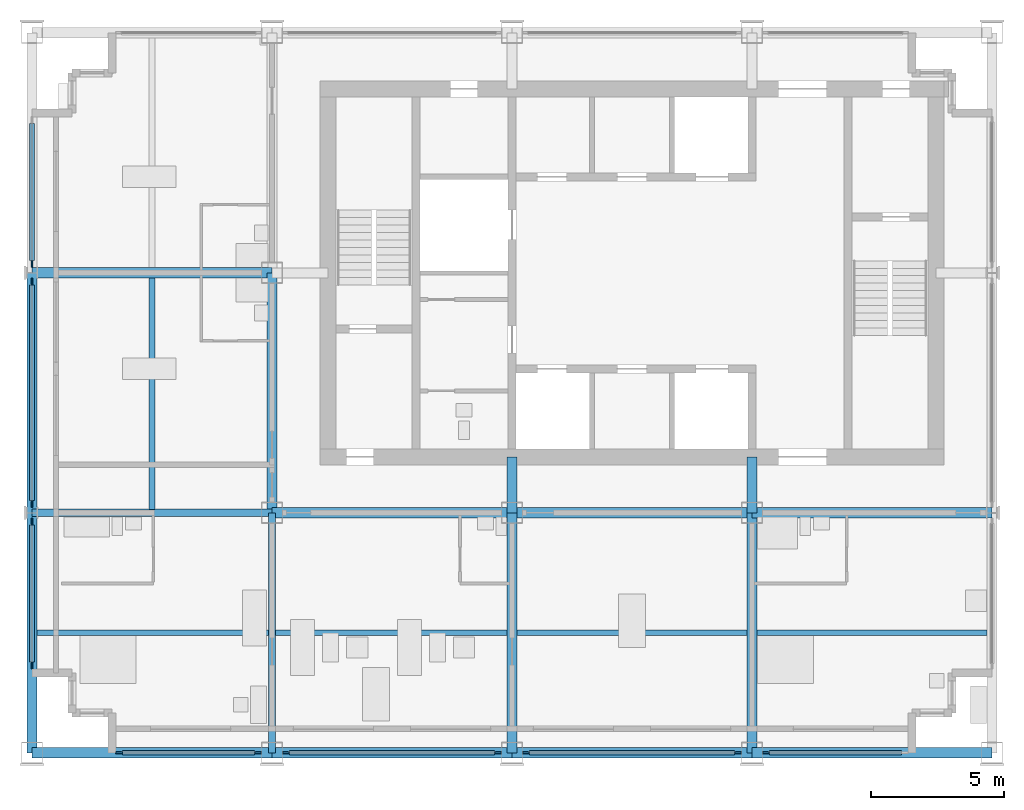
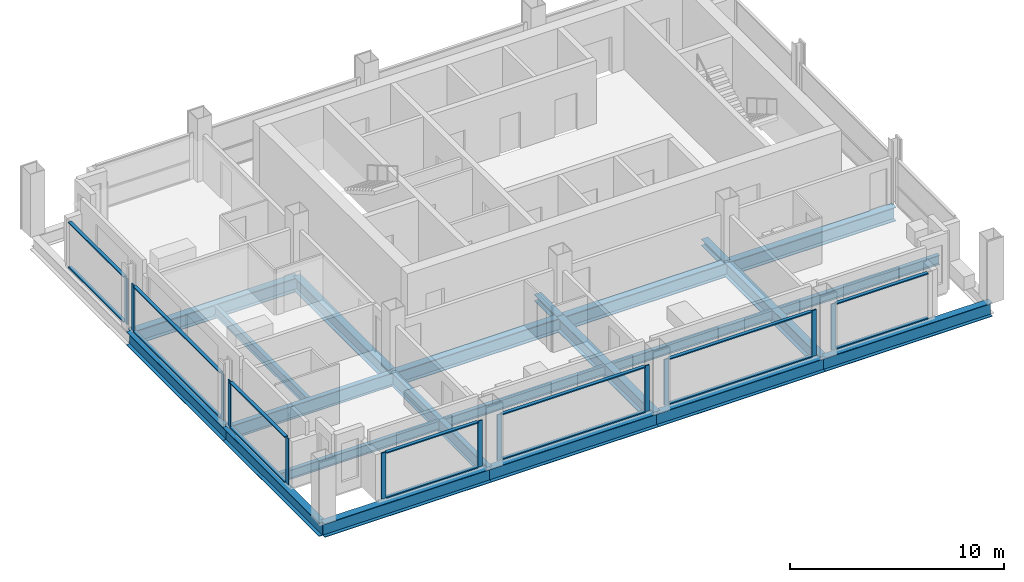
# One storey, part 2 of 11: 28 members, 20 beams, 7 elements without a shape of their own.
"""IFC4 building model written with IfcOpenShell, lengths in metres."""

from ifc_helpers import new_model, si_unit, direction, frame, origin, origin_2d, place, context, subcontext, project, spatial, rectangle, i_section, extrude, material, material_profile, profile_set, type_object, element, aggregate, save


model = new_model("IFC4")

# Units and contexts
model_context = context("Model", 3, precision=1e-05, world=origin(), true_north=direction((0.0, 1.0)))
body_context = subcontext(model_context, "Body", "Model", "MODEL_VIEW")
ifc_project = project(units=[si_unit("LENGTHUNIT", "METRE"), si_unit("AREAUNIT", "SQUARE_METRE"), si_unit("VOLUMEUNIT", "CUBIC_METRE"), si_unit("PLANEANGLEUNIT", "RADIAN"), si_unit("MASSUNIT", "GRAM", prefix="KILO")], contexts=[model_context])

# Site, building, storey
site_placement = place(None, origin())
site = spatial("IfcSite", under=ifc_project, at=site_placement, CompositionType="ELEMENT")
building_placement = place(site_placement, origin())
building = spatial("IfcBuilding", under=site, at=building_placement, Name="Loomwork Tower", CompositionType="ELEMENT")
storey_placement = place(building_placement, frame((0.0, 0.0, 262.60009765625)))
storey = spatial("IfcBuildingStorey", under=building, at=storey_placement, Name="L72", CompositionType="ELEMENT", Elevation=262.60009765625)

# Beams
ifc_material_1 = material(Name="Steel ASTM A992", Category="steel")
ifc_material_profile_1 = material_profile(ifc_material_1, i_section(OverallWidth=0.383544921875, OverallDepth=0.794921875, WebThickness=0.02099609375, FlangeThickness=0.0380859375, at=origin_2d()), Name="W30x235")
ifc_profile_set_1 = profile_set([ifc_material_profile_1], Name="Steel ASTM A992")
beam_type_1 = type_object("IfcBeamType", Name="CORE FLANK GIRDER W30x235", PredefinedType="BEAM", material=ifc_profile_set_1)
for number, where, z_axis, x_axis, name in (
    (1, (9.0, 9.0, -0.59765625), (1.0, 0.0, 0.0), (0.0, 1.0, 0.0), "Core Flank Girder E/3-E/4 L72"),
    (2, (18.0, 9.0, -0.59765625), (1.0, 0.0, 0.0), (0.0, 1.0, 0.0), "Core Flank Girder E/4-E/5 L72"),
    (3, (27.0, 9.0, -0.59765625), (1.0, 0.0, 0.0), (0.0, 1.0, 0.0), "Core Flank Girder E/5-E/6 L72"),
    (4, (0.0, 18.0, -0.59765625), (1.0, 0.0, 0.0), (0.0, 1.0, 0.0), "Core Flank Girder F/2-F/3 L72"),
    (5, (9.0, 9.0, -0.59765625), (0.0, 1.0, 0.0), (-1.0, 0.0, 0.0), "Core Flank Girder E/3-F/3 L72"),
    (6, (18.0, 0.0, -0.59765625), (0.0, 1.0, 0.0), (-1.0, 0.0, 0.0), "Core Flank Girder D/4-E/4 L72"),
    (7, (27.0, 0.0, -0.59765625), (0.0, 1.0, 0.0), (-1.0, 0.0, 0.0), "Core Flank Girder D/5-E/5 L72"),
):
    element("IfcBeam", number, at=place(storey_placement, frame(where, z_axis=z_axis, x_axis=x_axis)), inside=storey, type_object=beam_type_1, Name=name, PredefinedType="BEAM", context=body_context, shape_type="SweptSolid", body=[
        extrude(i_section(OverallWidth=0.383544921875, OverallDepth=0.794921875, WebThickness=0.02099609375, FlangeThickness=0.0380859375, at=origin_2d()), origin(), (0.0, 0.0, 1.0), 9.0),
    ])

# Members
ifc_material_2 = material(Name="Steel ASTM A992", Category="steel")
ifc_material_profile_2 = material_profile(ifc_material_2, i_section(OverallWidth=0.373291015625, OverallDepth=0.373291015625, WebThickness=0.016357421875, FlangeThickness=0.026123046875, at=origin_2d()), Name="W14x132")
ifc_profile_set_2 = profile_set([ifc_material_profile_2], Name="Steel ASTM A992")
member_type_1 = type_object("IfcMemberType", Name="CORE LINK STRUT W14x132", PredefinedType="STRUT", material=ifc_profile_set_2)
for number, where, z_axis, x_axis, name in (
    (8, (18.0, 9.0, -0.38671875), (0.0, 1.0, 0.0), (-1.0, 0.0, 0.0), "Core link strut E/4-18.000,11.100 L72"),
    (9, (27.0, 9.0, -0.38671875), (0.0, 1.0, 0.0), (-1.0, 0.0, 0.0), "Core link strut E/5-27.000,11.100 L72"),
):
    element("IfcMember", number, at=place(storey_placement, frame(where, z_axis=z_axis, x_axis=x_axis)), inside=storey, type_object=member_type_1, Name=name, PredefinedType="STRUT", context=body_context, shape_type="SweptSolid", body=[
        extrude(i_section(OverallWidth=0.373291015625, OverallDepth=0.373291015625, WebThickness=0.016357421875, FlangeThickness=0.026123046875, at=origin_2d()), origin(), (0.0, 0.0, 1.0), 2.10009765625),
    ])

# Beams
ifc_material_3 = material(Name="Steel ASTM A992", Category="steel")
ifc_material_profile_3 = material_profile(ifc_material_3, i_section(OverallWidth=0.2666015625, OverallDepth=0.761962890625, WebThickness=0.014404296875, FlangeThickness=0.021484375, at=origin_2d()), Name="W30x116")
ifc_profile_set_3 = profile_set([ifc_material_profile_3], Name="Steel ASTM A992")
beam_type_2 = type_object("IfcBeamType", Name="FLOOR GIRDER W30x116", PredefinedType="BEAM", material=ifc_profile_set_3)
for number, where, z_axis, x_axis, name in (
    (10, (0.0, 9.0, -0.5810546875), (1.0, 0.0, 0.0), (0.0, 1.0, 0.0), "Floor Girder E/2-E/3 L72"),
    (11, (9.0, 0.0, -0.5810546875), (0.0, 1.0, 0.0), (-1.0, 0.0, 0.0), "Floor Girder D/3-E/3 L72"),
):
    element("IfcBeam", number, at=place(storey_placement, frame(where, z_axis=z_axis, x_axis=x_axis)), inside=storey, type_object=beam_type_2, Name=name, PredefinedType="BEAM", context=body_context, shape_type="SweptSolid", body=[
        extrude(i_section(OverallWidth=0.2666015625, OverallDepth=0.761962890625, WebThickness=0.014404296875, FlangeThickness=0.021484375, at=origin_2d()), origin(), (0.0, 0.0, 1.0), 9.0),
    ])
ifc_material_4 = material(Name="Steel ASTM A992", Category="steel")
ifc_material_profile_4 = material_profile(ifc_material_4, i_section(OverallWidth=0.2109375, OverallDepth=0.53857421875, WebThickness=0.011474609375, FlangeThickness=0.018798828125, at=origin_2d()), Name="W21x73")
ifc_profile_set_4 = profile_set([ifc_material_profile_4], Name="Steel ASTM A992")
beam_type_3 = type_object("IfcBeamType", Name="FLOOR JOIST W21x73", PredefinedType="JOIST", material=ifc_profile_set_4)
beam_1_placement = place(storey_placement, frame((0.18994140625, 4.5, -0.46923828125), z_axis=(1.0, 0.0, 0.0), x_axis=(0.0, 1.0, 0.0)))
element("IfcBeam", 12, at=beam_1_placement, inside=storey, type_object=beam_type_3, Name="Floor Joist 0.000,4.500-9.000,4.500 L72", PredefinedType="JOIST", context=body_context, shape_type="SweptSolid", body=[
    extrude(i_section(OverallWidth=0.2109375, OverallDepth=0.53857421875, WebThickness=0.011474609375, FlangeThickness=0.018798828125, at=origin_2d()), origin(), (0.0, 0.0, 1.0), 8.677001953125),
])
for number, where, z_axis, x_axis, name in (
    (13, (4.5, 9.133056640625, -0.46923828125), (0.0, 1.0, 0.0), (-1.0, 0.0, 0.0), "Floor Joist 4.500,9.000-4.500,18.000 L72"),
    (14, (9.133056640625, 4.5, -0.46923828125), (1.0, 0.0, 0.0), (0.0, 1.0, 0.0), "Floor Joist 9.000,4.500-18.000,4.500 L72"),
):
    element("IfcBeam", number, at=place(storey_placement, frame(where, z_axis=z_axis, x_axis=x_axis)), inside=storey, type_object=beam_type_3, Name=name, PredefinedType="JOIST", context=body_context, shape_type="SweptSolid", body=[
        extrude(i_section(OverallWidth=0.2109375, OverallDepth=0.53857421875, WebThickness=0.011474609375, FlangeThickness=0.018798828125, at=origin_2d()), origin(), (0.0, 0.0, 1.0), 8.676025390625),
    ])
beam_2_placement = place(storey_placement, frame((18.19091796875, 4.5, -0.46923828125), z_axis=(1.0, 0.0, 0.0), x_axis=(0.0, 1.0, 0.0)))
element("IfcBeam", 15, at=beam_2_placement, inside=storey, type_object=beam_type_3, Name="Floor Joist 18.000,4.500-27.000,4.500 L72", PredefinedType="JOIST", context=body_context, shape_type="SweptSolid", body=[
    extrude(i_section(OverallWidth=0.2109375, OverallDepth=0.53857421875, WebThickness=0.011474609375, FlangeThickness=0.018798828125, at=origin_2d()), origin(), (0.0, 0.0, 1.0), 8.6181640625),
])
beam_3_placement = place(storey_placement, frame((27.19091796875, 4.5, -0.46923828125), z_axis=(1.0, 0.0, 0.0), x_axis=(0.0, 1.0, 0.0)))
element("IfcBeam", 16, at=beam_3_placement, inside=storey, type_object=beam_type_3, Name="Floor Joist 27.000,4.500-36.000,4.500 L72", PredefinedType="JOIST", context=body_context, shape_type="SweptSolid", body=[
    extrude(i_section(OverallWidth=0.2109375, OverallDepth=0.53857421875, WebThickness=0.011474609375, FlangeThickness=0.018798828125, at=origin_2d()), origin(), (0.0, 0.0, 1.0), 8.619140625),
])

# Curtain wall, members
ifc_material_5 = material(Name="Aluminium curtain wall frame", Category="aluminium")
curtain_wall_type = type_object("IfcCurtainWallType", Name="Outer skin glazing suites", PredefinedType="NOTDEFINED", material=ifc_material_5)
curtain_wall_1_placement = place(storey_placement, origin())
curtain_wall_1 = element("IfcCurtainWall", 17, at=curtain_wall_1_placement, inside=storey, type_object=curtain_wall_type, Name="Outer skin glazing suites cw/S-0", PredefinedType="NOTDEFINED")
ifc_material_6 = material(Name="Aluminium curtain wall frame", Category="aluminium")
ifc_material_profile_5 = material_profile(ifc_material_6, rectangle(XDim=0.06494140625, YDim=0.25, at=origin_2d()), Name="AL 65x250")
ifc_profile_set_5 = profile_set([ifc_material_profile_5], Name="Aluminium curtain wall frame")
member_type_2 = type_object("IfcMemberType", Name="Outer skin glazing suites mullion", PredefinedType="MULLION", material=ifc_profile_set_5)
member_1_placement = place(storey_placement, frame((3.27490234375, 0.0, 0.0), z_axis=(0.0, 0.0, 1.0), x_axis=(0.0, 1.0, 0.0)))
member_1 = element("IfcMember", 18, at=member_1_placement, type_object=member_type_2, Name="CW2 mullion 1", PredefinedType="MULLION", context=body_context, shape_type="SweptSolid", body=[
    extrude(rectangle(XDim=0.06494140625, YDim=0.25, at=origin_2d()), origin(), (0.0, 0.0, 1.0), 2.6201171875),
])
member_2_placement = place(storey_placement, frame((8.47509765625, 0.0, 0.0), z_axis=(0.0, 0.0, 1.0), x_axis=(0.0, 1.0, 0.0)))
member_2 = element("IfcMember", 19, at=member_2_placement, type_object=member_type_2, Name="CW2 mullion 2", PredefinedType="MULLION", context=body_context, shape_type="SweptSolid", body=[
    extrude(rectangle(XDim=0.06494140625, YDim=0.25, at=origin_2d()), origin(), (0.0, 0.0, 1.0), 2.6201171875),
])

curtain_wall_2_placement = place(storey_placement, origin())
curtain_wall_2 = element("IfcCurtainWall", 20, at=curtain_wall_2_placement, inside=storey, type_object=curtain_wall_type, Name="Outer skin glazing suites cw/S-9", PredefinedType="NOTDEFINED")
member_3_placement = place(storey_placement, frame((9.52490234375, 0.0, 0.0), z_axis=(0.0, 0.0, 1.0), x_axis=(0.0, 1.0, 0.0)))
member_3 = element("IfcMember", 21, at=member_3_placement, type_object=member_type_2, Name="CW2 mullion 1", PredefinedType="MULLION", context=body_context, shape_type="SweptSolid", body=[
    extrude(rectangle(XDim=0.06494140625, YDim=0.25, at=origin_2d()), origin(), (0.0, 0.0, 1.0), 2.6201171875),
])
member_4_placement = place(storey_placement, frame((17.47509765625, 0.0, 0.0), z_axis=(0.0, 0.0, 1.0), x_axis=(0.0, 1.0, 0.0)))
member_4 = element("IfcMember", 22, at=member_4_placement, type_object=member_type_2, Name="CW2 mullion 2", PredefinedType="MULLION", context=body_context, shape_type="SweptSolid", body=[
    extrude(rectangle(XDim=0.06494140625, YDim=0.25, at=origin_2d()), origin(), (0.0, 0.0, 1.0), 2.6201171875),
])

curtain_wall_3_placement = place(storey_placement, origin())
curtain_wall_3 = element("IfcCurtainWall", 23, at=curtain_wall_3_placement, inside=storey, type_object=curtain_wall_type, Name="Outer skin glazing suites cw/S-18", PredefinedType="NOTDEFINED")
member_5_placement = place(storey_placement, frame((18.52490234375, 0.0, 0.0), z_axis=(0.0, 0.0, 1.0), x_axis=(0.0, 1.0, 0.0)))
member_5 = element("IfcMember", 24, at=member_5_placement, type_object=member_type_2, Name="CW2 mullion 1", PredefinedType="MULLION", context=body_context, shape_type="SweptSolid", body=[
    extrude(rectangle(XDim=0.06494140625, YDim=0.25, at=origin_2d()), origin(), (0.0, 0.0, 1.0), 2.6201171875),
])
member_6_placement = place(storey_placement, frame((26.47509765625, 0.0, 0.0), z_axis=(0.0, 0.0, 1.0), x_axis=(0.0, 1.0, 0.0)))
member_6 = element("IfcMember", 25, at=member_6_placement, type_object=member_type_2, Name="CW2 mullion 2", PredefinedType="MULLION", context=body_context, shape_type="SweptSolid", body=[
    extrude(rectangle(XDim=0.06494140625, YDim=0.25, at=origin_2d()), origin(), (0.0, 0.0, 1.0), 2.6201171875),
])

# Curtain wall, member
curtain_wall_4_placement = place(storey_placement, origin())
curtain_wall_4 = element("IfcCurtainWall", 26, at=curtain_wall_4_placement, inside=storey, type_object=curtain_wall_type, Name="Outer skin glazing suites cw/S-27", PredefinedType="NOTDEFINED")
member_7_placement = place(storey_placement, frame((27.52490234375, 0.0, 0.0), z_axis=(0.0, 0.0, 1.0), x_axis=(0.0, 1.0, 0.0)))
member_7 = element("IfcMember", 27, at=member_7_placement, type_object=member_type_2, Name="CW2 mullion 1", PredefinedType="MULLION", context=body_context, shape_type="SweptSolid", body=[
    extrude(rectangle(XDim=0.06494140625, YDim=0.25, at=origin_2d()), origin(), (0.0, 0.0, 1.0), 2.6201171875),
])

# Curtain wall, members
curtain_wall_5_placement = place(storey_placement, origin())
curtain_wall_5 = element("IfcCurtainWall", 28, at=curtain_wall_5_placement, inside=storey, type_object=curtain_wall_type, Name="Outer skin glazing suites cw/W-0", PredefinedType="NOTDEFINED")
member_8_placement = place(storey_placement, frame((0.0, 8.666748046875, 0.0), z_axis=(0.0, 0.0, 1.0), x_axis=(1.0, 0.0, 0.0)))
member_8 = element("IfcMember", 29, at=member_8_placement, type_object=member_type_2, Name="CW2 mullion 1", PredefinedType="MULLION", context=body_context, shape_type="SweptSolid", body=[
    extrude(rectangle(XDim=0.06494140625, YDim=0.25, at=origin_2d()), origin(), (0.0, 0.0, 1.0), 2.6201171875),
])
member_9_placement = place(storey_placement, frame((0.0, 3.27490234375, 0.0), z_axis=(0.0, 0.0, 1.0), x_axis=(1.0, 0.0, 0.0)))
member_9 = element("IfcMember", 30, at=member_9_placement, type_object=member_type_2, Name="CW2 mullion 2", PredefinedType="MULLION", context=body_context, shape_type="SweptSolid", body=[
    extrude(rectangle(XDim=0.06494140625, YDim=0.25, at=origin_2d()), origin(), (0.0, 0.0, 1.0), 2.6201171875),
])

curtain_wall_6_placement = place(storey_placement, origin())
curtain_wall_6 = element("IfcCurtainWall", 31, at=curtain_wall_6_placement, inside=storey, type_object=curtain_wall_type, Name="Outer skin glazing suites cw/W-9", PredefinedType="NOTDEFINED")
member_10_placement = place(storey_placement, frame((0.0, 17.666748046875, 0.0), z_axis=(0.0, 0.0, 1.0), x_axis=(1.0, 0.0, 0.0)))
member_10 = element("IfcMember", 32, at=member_10_placement, type_object=member_type_2, Name="CW2 mullion 1", PredefinedType="MULLION", context=body_context, shape_type="SweptSolid", body=[
    extrude(rectangle(XDim=0.06494140625, YDim=0.25, at=origin_2d()), origin(), (0.0, 0.0, 1.0), 2.6201171875),
])
member_11_placement = place(storey_placement, frame((0.0, 9.333251953125, 0.0), z_axis=(0.0, 0.0, 1.0), x_axis=(1.0, 0.0, 0.0)))
member_11 = element("IfcMember", 33, at=member_11_placement, type_object=member_type_2, Name="CW2 mullion 2", PredefinedType="MULLION", context=body_context, shape_type="SweptSolid", body=[
    extrude(rectangle(XDim=0.06494140625, YDim=0.25, at=origin_2d()), origin(), (0.0, 0.0, 1.0), 2.6201171875),
])

# Curtain wall, member
curtain_wall_7_placement = place(storey_placement, origin())
curtain_wall_7 = element("IfcCurtainWall", 34, at=curtain_wall_7_placement, inside=storey, type_object=curtain_wall_type, Name="Outer skin glazing suites cw/W-18", PredefinedType="NOTDEFINED")
member_12_placement = place(storey_placement, frame((0.0, 18.333251953125, 0.0), z_axis=(0.0, 0.0, 1.0), x_axis=(1.0, 0.0, 0.0)))
member_12 = element("IfcMember", 35, at=member_12_placement, type_object=member_type_2, Name="CW2 mullion 2", PredefinedType="MULLION", context=body_context, shape_type="SweptSolid", body=[
    extrude(rectangle(XDim=0.06494140625, YDim=0.25, at=origin_2d()), origin(), (0.0, 0.0, 1.0), 2.6201171875),
])

# Member
ifc_material_7 = material(Name="Aluminium curtain wall frame", Category="aluminium")
ifc_material_profile_6 = material_profile(ifc_material_7, rectangle(XDim=0.179931640625, YDim=0.06494140625, at=origin_2d()), Name="AL 65x180")
ifc_profile_set_6 = profile_set([ifc_material_profile_6], Name="Aluminium curtain wall frame")
member_type_3 = type_object("IfcMemberType", Name="Outer skin glazing suites transom", PredefinedType="USERDEFINED", material=ifc_profile_set_6)
member_13_placement = place(storey_placement, frame((3.39990234375, 0.0, 0.032470703125), z_axis=(1.0, 0.0, 0.0), x_axis=(0.0, 1.0, 0.0)))
member_13 = element("IfcMember", 36, at=member_13_placement, type_object=member_type_3, Name="CW2 transom 1.1", ObjectType="TRANSOM", PredefinedType="USERDEFINED", context=body_context, shape_type="SweptSolid", body=[
    extrude(rectangle(XDim=0.179931640625, YDim=0.06494140625, at=origin_2d()), origin(), (0.0, 0.0, 1.0), 4.9501953125),
])

member_14_placement = place(storey_placement, frame((3.39990234375, 0.0, 2.587646484375), z_axis=(1.0, 0.0, 0.0), x_axis=(0.0, 1.0, 0.0)))
member_14 = element("IfcMember", 37, at=member_14_placement, type_object=member_type_3, Name="CW2 transom 1.2", ObjectType="TRANSOM", PredefinedType="USERDEFINED", context=body_context, shape_type="SweptSolid", body=[
    extrude(rectangle(XDim=0.179931640625, YDim=0.06494140625, at=origin_2d()), origin(), (0.0, 0.0, 1.0), 4.9501953125),
])

aggregate(curtain_wall_1, [member_1, member_2, member_13, member_14])

member_15_placement = place(storey_placement, frame((9.64990234375, 0.0, 0.032470703125), z_axis=(1.0, 0.0, 0.0), x_axis=(0.0, 1.0, 0.0)))
member_15 = element("IfcMember", 38, at=member_15_placement, type_object=member_type_3, Name="CW2 transom 1.1", ObjectType="TRANSOM", PredefinedType="USERDEFINED", context=body_context, shape_type="SweptSolid", body=[
    extrude(rectangle(XDim=0.179931640625, YDim=0.06494140625, at=origin_2d()), origin(), (0.0, 0.0, 1.0), 7.7001953125),
])

member_16_placement = place(storey_placement, frame((9.64990234375, 0.0, 2.587646484375), z_axis=(1.0, 0.0, 0.0), x_axis=(0.0, 1.0, 0.0)))
member_16 = element("IfcMember", 39, at=member_16_placement, type_object=member_type_3, Name="CW2 transom 1.2", ObjectType="TRANSOM", PredefinedType="USERDEFINED", context=body_context, shape_type="SweptSolid", body=[
    extrude(rectangle(XDim=0.179931640625, YDim=0.06494140625, at=origin_2d()), origin(), (0.0, 0.0, 1.0), 7.7001953125),
])

aggregate(curtain_wall_2, [member_3, member_4, member_15, member_16])

member_17_placement = place(storey_placement, frame((18.64990234375, 0.0, 0.032470703125), z_axis=(1.0, 0.0, 0.0), x_axis=(0.0, 1.0, 0.0)))
member_17 = element("IfcMember", 40, at=member_17_placement, type_object=member_type_3, Name="CW2 transom 1.1", ObjectType="TRANSOM", PredefinedType="USERDEFINED", context=body_context, shape_type="SweptSolid", body=[
    extrude(rectangle(XDim=0.179931640625, YDim=0.06494140625, at=origin_2d()), origin(), (0.0, 0.0, 1.0), 7.7001953125),
])

member_18_placement = place(storey_placement, frame((18.64990234375, 0.0, 2.587646484375), z_axis=(1.0, 0.0, 0.0), x_axis=(0.0, 1.0, 0.0)))
member_18 = element("IfcMember", 41, at=member_18_placement, type_object=member_type_3, Name="CW2 transom 1.2", ObjectType="TRANSOM", PredefinedType="USERDEFINED", context=body_context, shape_type="SweptSolid", body=[
    extrude(rectangle(XDim=0.179931640625, YDim=0.06494140625, at=origin_2d()), origin(), (0.0, 0.0, 1.0), 7.7001953125),
])

aggregate(curtain_wall_3, [member_5, member_6, member_17, member_18])

member_19_placement = place(storey_placement, frame((27.64990234375, 0.0, 0.032470703125), z_axis=(1.0, 0.0, 0.0), x_axis=(0.0, 1.0, 0.0)))
member_19 = element("IfcMember", 42, at=member_19_placement, type_object=member_type_3, Name="CW2 transom 1.1", ObjectType="TRANSOM", PredefinedType="USERDEFINED", context=body_context, shape_type="SweptSolid", body=[
    extrude(rectangle(XDim=0.179931640625, YDim=0.06494140625, at=origin_2d()), origin(), (0.0, 0.0, 1.0), 4.9501953125),
])

member_20_placement = place(storey_placement, frame((27.64990234375, 0.0, 2.587646484375), z_axis=(1.0, 0.0, 0.0), x_axis=(0.0, 1.0, 0.0)))
member_20 = element("IfcMember", 43, at=member_20_placement, type_object=member_type_3, Name="CW2 transom 1.2", ObjectType="TRANSOM", PredefinedType="USERDEFINED", context=body_context, shape_type="SweptSolid", body=[
    extrude(rectangle(XDim=0.179931640625, YDim=0.06494140625, at=origin_2d()), origin(), (0.0, 0.0, 1.0), 4.9501953125),
])

aggregate(curtain_wall_4, [member_7, member_19, member_20])

member_21_placement = place(storey_placement, frame((0.0, 8.541748046875, 0.032470703125), z_axis=(0.0, -1.0, 0.0), x_axis=(1.0, 0.0, 0.0)))
member_21 = element("IfcMember", 44, at=member_21_placement, type_object=member_type_3, Name="CW2 transom 1.1", ObjectType="TRANSOM", PredefinedType="USERDEFINED", context=body_context, shape_type="SweptSolid", body=[
    extrude(rectangle(XDim=0.179931640625, YDim=0.06494140625, at=origin_2d()), origin(), (0.0, 0.0, 1.0), 5.141845703125),
])

member_22_placement = place(storey_placement, frame((0.0, 8.541748046875, 2.587646484375), z_axis=(0.0, -1.0, 0.0), x_axis=(1.0, 0.0, 0.0)))
member_22 = element("IfcMember", 45, at=member_22_placement, type_object=member_type_3, Name="CW2 transom 1.2", ObjectType="TRANSOM", PredefinedType="USERDEFINED", context=body_context, shape_type="SweptSolid", body=[
    extrude(rectangle(XDim=0.179931640625, YDim=0.06494140625, at=origin_2d()), origin(), (0.0, 0.0, 1.0), 5.141845703125),
])

aggregate(curtain_wall_5, [member_8, member_9, member_21, member_22])

member_23_placement = place(storey_placement, frame((0.0, 17.541748046875, 0.032470703125), z_axis=(0.0, -1.0, 0.0), x_axis=(1.0, 0.0, 0.0)))
member_23 = element("IfcMember", 46, at=member_23_placement, type_object=member_type_3, Name="CW2 transom 1.1", ObjectType="TRANSOM", PredefinedType="USERDEFINED", context=body_context, shape_type="SweptSolid", body=[
    extrude(rectangle(XDim=0.179931640625, YDim=0.06494140625, at=origin_2d()), origin(), (0.0, 0.0, 1.0), 8.08349609375),
])

member_24_placement = place(storey_placement, frame((0.0, 17.541748046875, 2.587646484375), z_axis=(0.0, -1.0, 0.0), x_axis=(1.0, 0.0, 0.0)))
member_24 = element("IfcMember", 47, at=member_24_placement, type_object=member_type_3, Name="CW2 transom 1.2", ObjectType="TRANSOM", PredefinedType="USERDEFINED", context=body_context, shape_type="SweptSolid", body=[
    extrude(rectangle(XDim=0.179931640625, YDim=0.06494140625, at=origin_2d()), origin(), (0.0, 0.0, 1.0), 8.08349609375),
])

aggregate(curtain_wall_6, [member_10, member_11, member_23, member_24])

member_25_placement = place(storey_placement, frame((0.0, 23.60009765625, 0.032470703125), z_axis=(0.0, -1.0, 0.0), x_axis=(1.0, 0.0, 0.0)))
member_25 = element("IfcMember", 48, at=member_25_placement, type_object=member_type_3, Name="CW2 transom 1.1", ObjectType="TRANSOM", PredefinedType="USERDEFINED", context=body_context, shape_type="SweptSolid", body=[
    extrude(rectangle(XDim=0.179931640625, YDim=0.06494140625, at=origin_2d()), origin(), (0.0, 0.0, 1.0), 5.141845703125),
])

member_26_placement = place(storey_placement, frame((0.0, 23.60009765625, 2.587646484375), z_axis=(0.0, -1.0, 0.0), x_axis=(1.0, 0.0, 0.0)))
member_26 = element("IfcMember", 49, at=member_26_placement, type_object=member_type_3, Name="CW2 transom 1.2", ObjectType="TRANSOM", PredefinedType="USERDEFINED", context=body_context, shape_type="SweptSolid", body=[
    extrude(rectangle(XDim=0.179931640625, YDim=0.06494140625, at=origin_2d()), origin(), (0.0, 0.0, 1.0), 5.141845703125),
])

aggregate(curtain_wall_7, [member_12, member_25, member_26])

# Beams
ifc_material_8 = material(Name="Steel ASTM A992", Category="steel")
ifc_material_profile_7 = material_profile(ifc_material_8, i_section(OverallWidth=0.381103515625, OverallDepth=0.77978515625, WebThickness=0.01806640625, FlangeThickness=0.0302734375, at=origin_2d()), Name="W30x191")
ifc_profile_set_7 = profile_set([ifc_material_profile_7], Name="Steel ASTM A992")
beam_type_4 = type_object("IfcBeamType", Name="SPANDREL GIRDER W30x191", PredefinedType="SPANDREL", material=ifc_profile_set_7)
for number, where, z_axis, x_axis, name in (
    (50, (0.0, 0.0, -0.590087890625), (1.0, 0.0, 0.0), (0.0, 1.0, 0.0), "Spandrel Girder D/2-D/3 L72"),
    (51, (9.0, 0.0, -0.590087890625), (1.0, 0.0, 0.0), (0.0, 1.0, 0.0), "Spandrel Girder D/3-D/4 L72"),
    (52, (18.0, 0.0, -0.590087890625), (1.0, 0.0, 0.0), (0.0, 1.0, 0.0), "Spandrel Girder D/4-D/5 L72"),
    (53, (27.0, 0.0, -0.590087890625), (1.0, 0.0, 0.0), (0.0, 1.0, 0.0), "Spandrel Girder D/5-D/6 L72"),
    (54, (0.0, 0.0, -0.590087890625), (0.0, 1.0, 0.0), (-1.0, 0.0, 0.0), "Spandrel Girder D/2-E/2 L72"),
    (55, (0.0, 9.0, -0.590087890625), (0.0, 1.0, 0.0), (-1.0, 0.0, 0.0), "Spandrel Girder E/2-F/2 L72"),
):
    element("IfcBeam", number, at=place(storey_placement, frame(where, z_axis=z_axis, x_axis=x_axis)), inside=storey, type_object=beam_type_4, Name=name, PredefinedType="SPANDREL", context=body_context, shape_type="SweptSolid", body=[
        extrude(i_section(OverallWidth=0.381103515625, OverallDepth=0.77978515625, WebThickness=0.01806640625, FlangeThickness=0.0302734375, at=origin_2d()), origin(), (0.0, 0.0, 1.0), 9.0),
    ])

save(model, "model.ifc")
